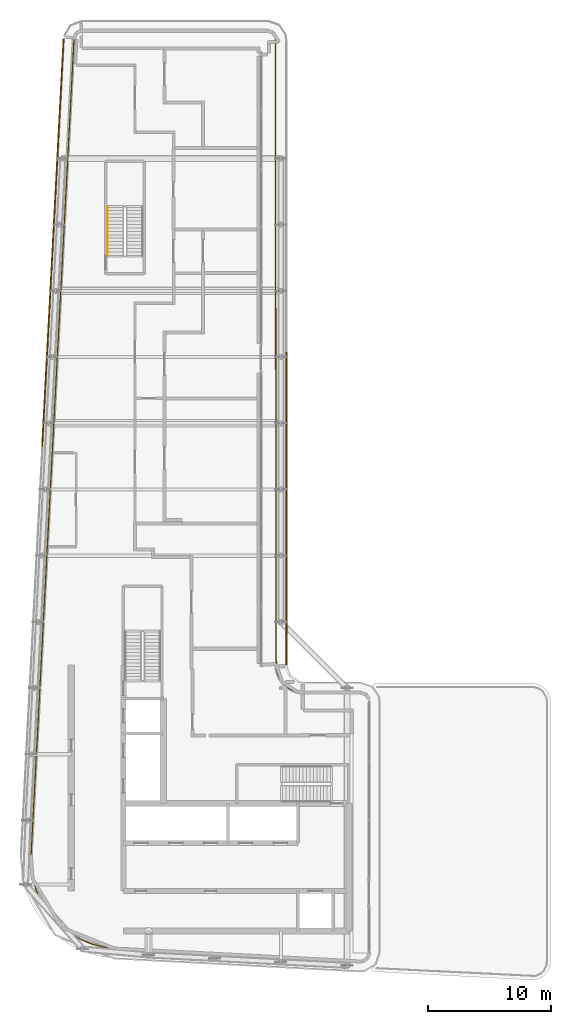
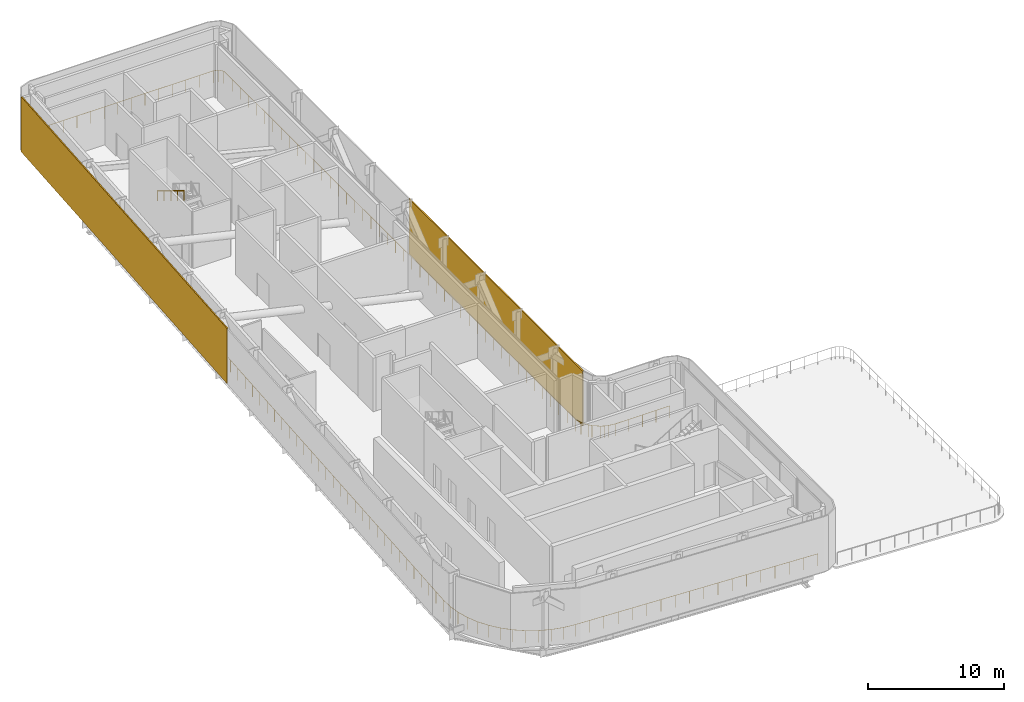
# One storey, part 17 of 18: 2 railings, 2 shading devices.
"""IFC4 building model written with IfcOpenShell, lengths in metres."""

from ifc_helpers import new_model, si_unit, direction, frame, origin, origin_2d, place, context, subcontext, project, spatial, rectangle, circle, extrude, material, layer, layer_set, type_object, element, save


model = new_model("IFC4")

# Units and contexts
model_context = context("Model", 3, precision=1e-05, world=origin(), true_north=direction((0.0, 1.0)))
body_context = subcontext(model_context, "Body", "Model", "MODEL_VIEW")
ifc_project = project(units=[si_unit("LENGTHUNIT", "METRE"), si_unit("AREAUNIT", "SQUARE_METRE"), si_unit("VOLUMEUNIT", "CUBIC_METRE"), si_unit("PLANEANGLEUNIT", "RADIAN"), si_unit("MASSUNIT", "GRAM", prefix="KILO")], contexts=[model_context])

# Site, building, storey
site_placement = place(None, origin())
site = spatial("IfcSite", under=ifc_project, at=site_placement, CompositionType="ELEMENT")
building_placement = place(site_placement, origin())
building = spatial("IfcBuilding", under=site, at=building_placement, Name="Kheshtan School and Residences Tower", CompositionType="ELEMENT")
storey_placement = place(building_placement, frame((0.0, 0.0, 333.199951171875)))
storey = spatial("IfcBuildingStorey", under=building, at=storey_placement, Name="L78", CompositionType="ELEMENT", Elevation=333.199951171875)

# Railing
ifc_material_1 = material(Name="Stainless steel balustrade", Category="steel")
railing_type_1 = type_object("IfcRailingType", Name="Loggia guard 1100", PredefinedType="GUARDRAIL", material=ifc_material_1)
railing_1_placement = place(storey_placement, frame((54.035888671875, 23.324951171875, 0.0)))
element("IfcRailing", 1, at=railing_1_placement, inside=storey, type_object=railing_type_1, Name="Guard L78 1", PredefinedType="GUARDRAIL", context=body_context, shape_type="SweptSolid", body=[
    extrude(circle(Radius=0.02392578125, at=origin_2d()), frame((0.0, 0.0, 1.076171875), z_axis=(-0.99861401751, 0.052631207781, 0.0), x_axis=(-0.052631207781, -0.99861401751, 0.0)), (0.0, 0.0, 1.0), 20.0068359375),
    extrude(circle(Radius=0.02392578125, at=origin_2d()), frame((-19.97900390625, 1.052978515625, 1.076171875), z_axis=(-0.993152326572, 0.116826607521, 0.0), x_axis=(-0.116826607521, -0.993152326572, 0.0)), (0.0, 0.0, 1.0), 0.967529296875),
    extrude(circle(Radius=0.02392578125, at=origin_2d()), frame((-20.93994140625, 1.166015625, 1.076171875), z_axis=(-0.969142269941, 0.246502049918, 0.0), x_axis=(-0.246502049918, -0.969142269941, 0.0)), (0.0, 0.0, 1.0), 0.94091796875),
    extrude(circle(Radius=0.02392578125, at=origin_2d()), frame((-21.851806640625, 1.39794921875, 1.076171875), z_axis=(-0.928440955332, 0.371480002775, 0.0), x_axis=(-0.371480002775, -0.928440955332, 0.0)), (0.0, 0.0, 1.0), 0.9423828125),
    extrude(circle(Radius=0.02392578125, at=origin_2d()), frame((-22.726806640625, 1.748046875, 1.076171875), z_axis=(-0.872673913379, 0.488303431187, 0.0), x_axis=(-0.488303431187, -0.872673913379, 0.0)), (0.0, 0.0, 1.0), 0.94189453125),
    extrude(circle(Radius=0.02392578125, at=origin_2d()), frame((-23.548828125, 2.2080078125, 1.076171875), z_axis=(-0.801336596607, 0.598213723462, 0.0), x_axis=(-0.598213723462, -0.801336596607, 0.0)), (0.0, 0.0, 1.0), 0.941162109375),
    extrude(circle(Radius=0.02392578125, at=origin_2d()), frame((-24.302978515625, 2.77099609375, 1.076171875), z_axis=(-0.71600013962, 0.69810013613, 0.0), x_axis=(-0.69810013613, -0.71600013962, 0.0)), (0.0, 0.0, 1.0), 0.941162109375),
    extrude(circle(Radius=0.02392578125, at=origin_2d()), frame((-24.976806640625, 3.427978515625, 1.076171875), z_axis=(-0.618862535768, 0.785499307334, 0.0), x_axis=(-0.785499307334, -0.618862535768, 0.0)), (0.0, 0.0, 1.0), 0.942138671875),
    extrude(circle(Radius=0.02392578125, at=origin_2d()), frame((-25.559814453125, 4.16796875, 1.076171875), z_axis=(-0.510214927824, 0.860046933269, 0.0), x_axis=(-0.860046933269, -0.510214927824, 0.0)), (0.0, 0.0, 1.0), 0.940673828125),
    extrude(circle(Radius=0.02392578125, at=origin_2d()), frame((-26.039794921875, 4.97705078125, 1.076171875), z_axis=(-0.394763216191, 0.918782892278, 0.0), x_axis=(-0.918782892278, -0.394763216191, 0.0)), (0.0, 0.0, 1.0), 0.942626953125),
    extrude(circle(Radius=0.02392578125, at=origin_2d()), frame((-26.411865234375, 5.843017578125, 1.076171875), z_axis=(-0.272014427065, 0.962293173346, 0.0), x_axis=(-0.962293173346, -0.272014427065, 0.0)), (0.0, 0.0, 1.0), 0.94140625),
    extrude(circle(Radius=0.02392578125, at=origin_2d()), frame((-26.66796875, 6.7490234375, 1.076171875), z_axis=(-0.143344445165, 0.989672860111, 0.0), x_axis=(-0.989672860111, -0.143344445165, 0.0)), (0.0, 0.0, 1.0), 0.94189453125),
    extrude(circle(Radius=0.02392578125, at=origin_2d()), frame((-26.802978515625, 7.68115234375, 1.076171875), z_axis=(-0.013382639841, 0.999910448466, 0.0), x_axis=(-0.999910448466, -0.013382639841, 0.0)), (0.0, 0.0, 1.0), 0.966796875),
    extrude(circle(Radius=0.02392578125, at=origin_2d()), frame((-26.81591796875, 8.64794921875, 1.076171875), z_axis=(0.052559602407, 0.998617788844, 0.0), x_axis=(-0.998617788844, 0.052559602407, 0.0)), (0.0, 0.0, 1.0), 66.628173828125),
    extrude(circle(Radius=0.02392578125, at=origin_2d()), frame((-23.31396484375, 75.18408203125, 1.076171875), z_axis=(0.311559520936, 0.95022663871, 0.0), x_axis=(-0.95022663871, 0.311559520936, 0.0)), (0.0, 0.0, 1.0), 0.408203125),
    extrude(circle(Radius=0.02392578125, at=origin_2d()), frame((-23.186767578125, 75.572021484375, 1.076171875), z_axis=(0.771057764103, 0.636765203522, 0.0), x_axis=(-0.636765203522, 0.771057764103, 0.0)), (0.0, 0.0, 1.0), 0.3798828125),
    extrude(circle(Radius=0.02392578125, at=origin_2d()), frame((-22.893798828125, 75.81396484375, 1.076171875), z_axis=(0.980908398667, 0.194470340735, 0.0), x_axis=(-0.194470340735, 0.980908398667, 0.0)), (0.0, 0.0, 1.0), 0.31396484375),
    extrude(circle(Radius=0.02392578125, at=origin_2d()), frame((-22.5859375, 75.875, 1.076171875), z_axis=(1.0, 0.0, 0.0), x_axis=(0.0, 1.0, 0.0)), (0.0, 0.0, 1.0), 15.02294921875),
    extrude(circle(Radius=0.02392578125, at=origin_2d()), frame((-7.56298828125, 75.875, 1.076171875), z_axis=(0.969584789188, -0.244755667095, 0.0), x_axis=(0.244755667095, 0.969584789188, 0.0)), (0.0, 0.0, 1.0), 0.387939453125),
    extrude(circle(Radius=0.02392578125, at=origin_2d()), frame((-7.186767578125, 75.780029296875, 1.076171875), z_axis=(0.65881241803, -0.752307249632, 0.0), x_axis=(0.752307249632, 0.65881241803, 0.0)), (0.0, 0.0, 1.0), 0.44921875),
    extrude(circle(Radius=0.02392578125, at=origin_2d()), frame((-6.890869140625, 75.442138671875, 1.076171875), z_axis=(0.001415564121, -0.999998998089, 0.0), x_axis=(0.999998998089, 0.001415564121, 0.0)), (0.0, 0.0, 1.0), 51.568115234375),
    extrude(circle(Radius=0.02392578125, at=origin_2d()), frame((-6.81787109375, 23.8740234375, 1.076171875), z_axis=(0.258194066029, -0.966093072259, 0.0), x_axis=(0.966093072259, 0.258194066029, 0.0)), (0.0, 0.0, 1.0), 0.600341796875),
    extrude(circle(Radius=0.02392578125, at=origin_2d()), frame((-6.662841796875, 23.2939453125, 1.076171875), z_axis=(0.500650830488, -0.865649320413, 0.0), x_axis=(0.865649320413, 0.500650830488, 0.0)), (0.0, 0.0, 1.0), 0.599365234375),
    extrude(circle(Radius=0.02392578125, at=origin_2d()), frame((-6.36279296875, 22.775146484375, 1.076171875), z_axis=(0.657475962228, -0.753475519903, 0.0), x_axis=(0.753475519903, 0.657475962228, 0.0)), (0.0, 0.0, 1.0), 0.302734375),
    extrude(circle(Radius=0.02392578125, at=origin_2d()), frame((-6.163818359375, 22.547119140625, 1.076171875), z_axis=(0.794207829635, -0.607646215611, 0.0), x_axis=(0.607646215611, 0.794207829635, 0.0)), (0.0, 0.0, 1.0), 0.6005859375),
    extrude(circle(Radius=0.02392578125, at=origin_2d()), frame((-5.686767578125, 22.18212890625, 1.076171875), z_axis=(0.895558957072, -0.444942866455, 0.0), x_axis=(0.444942866455, 0.895558957072, 0.0)), (0.0, 0.0, 1.0), 0.30126953125),
    extrude(circle(Radius=0.02392578125, at=origin_2d()), frame((-5.4169921875, 22.048095703125, 1.076171875), z_axis=(0.946890871883, -0.321555091305, 0.0), x_axis=(0.321555091305, 0.946890871883, 0.0)), (0.0, 0.0, 1.0), 0.30224609375),
    extrude(circle(Radius=0.02392578125, at=origin_2d()), frame((-5.130859375, 21.950927734375, 1.076171875), z_axis=(0.991179452641, -0.132526573418, 0.0), x_axis=(0.132526573418, 0.991179452641, 0.0)), (0.0, 0.0, 1.0), 0.572998046875),
    extrude(circle(Radius=0.02392578125, at=origin_2d()), frame((-4.56298828125, 21.875, 1.076171875), z_axis=(1.0, 0.0, 0.0), x_axis=(0.0, 1.0, 0.0)), (0.0, 0.0, 1.0), 4.60009765625),
    extrude(circle(Radius=0.02099609375, at=origin_2d()), origin(), (0.0, 0.0, 1.0), 1.052001953125),
    extrude(circle(Radius=0.02099609375, at=origin_2d()), frame((-1.17529296875, 0.06201171875, 0.0)), (0.0, 0.0, 1.0), 1.052001953125),
    extrude(circle(Radius=0.02099609375, at=origin_2d()), frame((-2.3505859375, 0.123779296875, 0.0)), (0.0, 0.0, 1.0), 1.052001953125),
    extrude(circle(Radius=0.02099609375, at=origin_2d()), frame((-3.525634765625, 0.185791015625, 0.0)), (0.0, 0.0, 1.0), 1.052001953125),
    extrude(circle(Radius=0.02099609375, at=origin_2d()), frame((-4.700927734375, 0.247802734375, 0.0)), (0.0, 0.0, 1.0), 1.052001953125),
    extrude(circle(Radius=0.02099609375, at=origin_2d()), frame((-5.876220703125, 0.309814453125, 0.0)), (0.0, 0.0, 1.0), 1.052001953125),
    extrude(circle(Radius=0.02099609375, at=origin_2d()), frame((-7.051513671875, 0.37158203125, 0.0)), (0.0, 0.0, 1.0), 1.052001953125),
    extrude(circle(Radius=0.02099609375, at=origin_2d()), frame((-8.2265625, 0.43359375, 0.0)), (0.0, 0.0, 1.0), 1.052001953125),
    extrude(circle(Radius=0.02099609375, at=origin_2d()), frame((-9.40185546875, 0.49560546875, 0.0)), (0.0, 0.0, 1.0), 1.052001953125),
    extrude(circle(Radius=0.02099609375, at=origin_2d()), frame((-10.5771484375, 0.557373046875, 0.0)), (0.0, 0.0, 1.0), 1.052001953125),
    extrude(circle(Radius=0.02099609375, at=origin_2d()), frame((-11.75244140625, 0.619384765625, 0.0)), (0.0, 0.0, 1.0), 1.052001953125),
    extrude(circle(Radius=0.02099609375, at=origin_2d()), frame((-12.927490234375, 0.681396484375, 0.0)), (0.0, 0.0, 1.0), 1.052001953125),
    extrude(circle(Radius=0.02099609375, at=origin_2d()), frame((-14.102783203125, 0.7431640625, 0.0)), (0.0, 0.0, 1.0), 1.052001953125),
    extrude(circle(Radius=0.02099609375, at=origin_2d()), frame((-15.278076171875, 0.80517578125, 0.0)), (0.0, 0.0, 1.0), 1.052001953125),
    extrude(circle(Radius=0.02099609375, at=origin_2d()), frame((-16.453369140625, 0.8671875, 0.0)), (0.0, 0.0, 1.0), 1.052001953125),
    extrude(circle(Radius=0.02099609375, at=origin_2d()), frame((-17.62841796875, 0.92919921875, 0.0)), (0.0, 0.0, 1.0), 1.052001953125),
    extrude(circle(Radius=0.02099609375, at=origin_2d()), frame((-18.8037109375, 0.990966796875, 0.0)), (0.0, 0.0, 1.0), 1.052001953125),
    extrude(circle(Radius=0.02099609375, at=origin_2d()), frame((-19.97900390625, 1.052978515625, 0.0)), (0.0, 0.0, 1.0), 1.052001953125),
    extrude(circle(Radius=0.02099609375, at=origin_2d()), frame((-20.93994140625, 1.166015625, 0.0)), (0.0, 0.0, 1.0), 1.052001953125),
    extrude(circle(Radius=0.02099609375, at=origin_2d()), frame((-21.851806640625, 1.39794921875, 0.0)), (0.0, 0.0, 1.0), 1.052001953125),
    extrude(circle(Radius=0.02099609375, at=origin_2d()), frame((-22.726806640625, 1.748046875, 0.0)), (0.0, 0.0, 1.0), 1.052001953125),
    extrude(circle(Radius=0.02099609375, at=origin_2d()), frame((-23.548828125, 2.2080078125, 0.0)), (0.0, 0.0, 1.0), 1.052001953125),
    extrude(circle(Radius=0.02099609375, at=origin_2d()), frame((-24.302978515625, 2.77099609375, 0.0)), (0.0, 0.0, 1.0), 1.052001953125),
    extrude(circle(Radius=0.02099609375, at=origin_2d()), frame((-24.976806640625, 3.427978515625, 0.0)), (0.0, 0.0, 1.0), 1.052001953125),
    extrude(circle(Radius=0.02099609375, at=origin_2d()), frame((-25.559814453125, 4.16796875, 0.0)), (0.0, 0.0, 1.0), 1.052001953125),
    extrude(circle(Radius=0.02099609375, at=origin_2d()), frame((-26.039794921875, 4.97705078125, 0.0)), (0.0, 0.0, 1.0), 1.052001953125),
    extrude(circle(Radius=0.02099609375, at=origin_2d()), frame((-26.411865234375, 5.843017578125, 0.0)), (0.0, 0.0, 1.0), 1.052001953125),
    extrude(circle(Radius=0.02099609375, at=origin_2d()), frame((-26.66796875, 6.7490234375, 0.0)), (0.0, 0.0, 1.0), 1.052001953125),
    extrude(circle(Radius=0.02099609375, at=origin_2d()), frame((-26.802978515625, 7.68115234375, 0.0)), (0.0, 0.0, 1.0), 1.052001953125),
    extrude(circle(Radius=0.02099609375, at=origin_2d()), frame((-26.81591796875, 8.64794921875, 0.0)), (0.0, 0.0, 1.0), 1.052001953125),
    extrude(circle(Radius=0.02099609375, at=origin_2d()), frame((-26.75341796875, 9.836181640625, 0.0)), (0.0, 0.0, 1.0), 1.052001953125),
    extrude(circle(Radius=0.02099609375, at=origin_2d()), frame((-26.69091796875, 11.024169921875, 0.0)), (0.0, 0.0, 1.0), 1.052001953125),
    extrude(circle(Radius=0.02099609375, at=origin_2d()), frame((-26.62841796875, 12.21240234375, 0.0)), (0.0, 0.0, 1.0), 1.052001953125),
    extrude(circle(Radius=0.02099609375, at=origin_2d()), frame((-26.565673828125, 13.400634765625, 0.0)), (0.0, 0.0, 1.0), 1.052001953125),
    extrude(circle(Radius=0.02099609375, at=origin_2d()), frame((-26.503173828125, 14.588623046875, 0.0)), (0.0, 0.0, 1.0), 1.052001953125),
    extrude(circle(Radius=0.02099609375, at=origin_2d()), frame((-26.440673828125, 15.77685546875, 0.0)), (0.0, 0.0, 1.0), 1.052001953125),
    extrude(circle(Radius=0.02099609375, at=origin_2d()), frame((-26.378173828125, 16.96484375, 0.0)), (0.0, 0.0, 1.0), 1.052001953125),
    extrude(circle(Radius=0.02099609375, at=origin_2d()), frame((-26.315673828125, 18.153076171875, 0.0)), (0.0, 0.0, 1.0), 1.052001953125),
    extrude(circle(Radius=0.02099609375, at=origin_2d()), frame((-26.253173828125, 19.34130859375, 0.0)), (0.0, 0.0, 1.0), 1.052001953125),
    extrude(circle(Radius=0.02099609375, at=origin_2d()), frame((-26.190673828125, 20.529296875, 0.0)), (0.0, 0.0, 1.0), 1.052001953125),
    extrude(circle(Radius=0.02099609375, at=origin_2d()), frame((-26.1279296875, 21.717529296875, 0.0)), (0.0, 0.0, 1.0), 1.052001953125),
    extrude(circle(Radius=0.02099609375, at=origin_2d()), frame((-26.0654296875, 22.90576171875, 0.0)), (0.0, 0.0, 1.0), 1.052001953125),
    extrude(circle(Radius=0.02099609375, at=origin_2d()), frame((-26.0029296875, 24.09375, 0.0)), (0.0, 0.0, 1.0), 1.052001953125),
    extrude(circle(Radius=0.02099609375, at=origin_2d()), frame((-25.9404296875, 25.281982421875, 0.0)), (0.0, 0.0, 1.0), 1.052001953125),
    extrude(circle(Radius=0.02099609375, at=origin_2d()), frame((-25.8779296875, 26.47021484375, 0.0)), (0.0, 0.0, 1.0), 1.052001953125),
    extrude(circle(Radius=0.02099609375, at=origin_2d()), frame((-25.8154296875, 27.658203125, 0.0)), (0.0, 0.0, 1.0), 1.052001953125),
    extrude(circle(Radius=0.02099609375, at=origin_2d()), frame((-25.7529296875, 28.846435546875, 0.0)), (0.0, 0.0, 1.0), 1.052001953125),
    extrude(circle(Radius=0.02099609375, at=origin_2d()), frame((-25.690185546875, 30.03466796875, 0.0)), (0.0, 0.0, 1.0), 1.052001953125),
    extrude(circle(Radius=0.02099609375, at=origin_2d()), frame((-25.627685546875, 31.22265625, 0.0)), (0.0, 0.0, 1.0), 1.052001953125),
    extrude(circle(Radius=0.02099609375, at=origin_2d()), frame((-25.565185546875, 32.410888671875, 0.0)), (0.0, 0.0, 1.0), 1.052001953125),
    extrude(circle(Radius=0.02099609375, at=origin_2d()), frame((-25.502685546875, 33.59912109375, 0.0)), (0.0, 0.0, 1.0), 1.052001953125),
    extrude(circle(Radius=0.02099609375, at=origin_2d()), frame((-25.440185546875, 34.787109375, 0.0)), (0.0, 0.0, 1.0), 1.052001953125),
    extrude(circle(Radius=0.02099609375, at=origin_2d()), frame((-25.377685546875, 35.975341796875, 0.0)), (0.0, 0.0, 1.0), 1.052001953125),
    extrude(circle(Radius=0.02099609375, at=origin_2d()), frame((-25.315185546875, 37.163330078125, 0.0)), (0.0, 0.0, 1.0), 1.052001953125),
    extrude(circle(Radius=0.02099609375, at=origin_2d()), frame((-25.25244140625, 38.3515625, 0.0)), (0.0, 0.0, 1.0), 1.052001953125),
    extrude(circle(Radius=0.02099609375, at=origin_2d()), frame((-25.18994140625, 39.539794921875, 0.0)), (0.0, 0.0, 1.0), 1.052001953125),
    extrude(circle(Radius=0.02099609375, at=origin_2d()), frame((-25.12744140625, 40.727783203125, 0.0)), (0.0, 0.0, 1.0), 1.052001953125),
    extrude(circle(Radius=0.02099609375, at=origin_2d()), frame((-25.06494140625, 41.916015625, 0.0)), (0.0, 0.0, 1.0), 1.052001953125),
    extrude(circle(Radius=0.02099609375, at=origin_2d()), frame((-25.00244140625, 43.104248046875, 0.0)), (0.0, 0.0, 1.0), 1.052001953125),
    extrude(circle(Radius=0.02099609375, at=origin_2d()), frame((-24.93994140625, 44.292236328125, 0.0)), (0.0, 0.0, 1.0), 1.052001953125),
    extrude(circle(Radius=0.02099609375, at=origin_2d()), frame((-24.87744140625, 45.48046875, 0.0)), (0.0, 0.0, 1.0), 1.052001953125),
    extrude(circle(Radius=0.02099609375, at=origin_2d()), frame((-24.814697265625, 46.668701171875, 0.0)), (0.0, 0.0, 1.0), 1.052001953125),
    extrude(circle(Radius=0.02099609375, at=origin_2d()), frame((-24.752197265625, 47.856689453125, 0.0)), (0.0, 0.0, 1.0), 1.052001953125),
    extrude(circle(Radius=0.02099609375, at=origin_2d()), frame((-24.689697265625, 49.044921875, 0.0)), (0.0, 0.0, 1.0), 1.052001953125),
    extrude(circle(Radius=0.02099609375, at=origin_2d()), frame((-24.627197265625, 50.23291015625, 0.0)), (0.0, 0.0, 1.0), 1.052001953125),
    extrude(circle(Radius=0.02099609375, at=origin_2d()), frame((-24.564697265625, 51.421142578125, 0.0)), (0.0, 0.0, 1.0), 1.052001953125),
    extrude(circle(Radius=0.02099609375, at=origin_2d()), frame((-24.502197265625, 52.609375, 0.0)), (0.0, 0.0, 1.0), 1.052001953125),
    extrude(circle(Radius=0.02099609375, at=origin_2d()), frame((-24.439697265625, 53.79736328125, 0.0)), (0.0, 0.0, 1.0), 1.052001953125),
    extrude(circle(Radius=0.02099609375, at=origin_2d()), frame((-24.376953125, 54.985595703125, 0.0)), (0.0, 0.0, 1.0), 1.052001953125),
    extrude(circle(Radius=0.02099609375, at=origin_2d()), frame((-24.314453125, 56.173828125, 0.0)), (0.0, 0.0, 1.0), 1.052001953125),
    extrude(circle(Radius=0.02099609375, at=origin_2d()), frame((-24.251953125, 57.36181640625, 0.0)), (0.0, 0.0, 1.0), 1.052001953125),
    extrude(circle(Radius=0.02099609375, at=origin_2d()), frame((-24.189453125, 58.550048828125, 0.0)), (0.0, 0.0, 1.0), 1.052001953125),
    extrude(circle(Radius=0.02099609375, at=origin_2d()), frame((-24.126953125, 59.73828125, 0.0)), (0.0, 0.0, 1.0), 1.052001953125),
    extrude(circle(Radius=0.02099609375, at=origin_2d()), frame((-24.064453125, 60.92626953125, 0.0)), (0.0, 0.0, 1.0), 1.052001953125),
    extrude(circle(Radius=0.02099609375, at=origin_2d()), frame((-24.001953125, 62.114501953125, 0.0)), (0.0, 0.0, 1.0), 1.052001953125),
    extrude(circle(Radius=0.02099609375, at=origin_2d()), frame((-23.939208984375, 63.302734375, 0.0)), (0.0, 0.0, 1.0), 1.052001953125),
    extrude(circle(Radius=0.02099609375, at=origin_2d()), frame((-23.876708984375, 64.49072265625, 0.0)), (0.0, 0.0, 1.0), 1.052001953125),
    extrude(circle(Radius=0.02099609375, at=origin_2d()), frame((-23.814208984375, 65.678955078125, 0.0)), (0.0, 0.0, 1.0), 1.052001953125),
    extrude(circle(Radius=0.02099609375, at=origin_2d()), frame((-23.751708984375, 66.8671875, 0.0)), (0.0, 0.0, 1.0), 1.052001953125),
    extrude(circle(Radius=0.02099609375, at=origin_2d()), frame((-23.689208984375, 68.05517578125, 0.0)), (0.0, 0.0, 1.0), 1.052001953125),
    extrude(circle(Radius=0.02099609375, at=origin_2d()), frame((-23.626708984375, 69.243408203125, 0.0)), (0.0, 0.0, 1.0), 1.052001953125),
    extrude(circle(Radius=0.02099609375, at=origin_2d()), frame((-23.564208984375, 70.431396484375, 0.0)), (0.0, 0.0, 1.0), 1.052001953125),
    extrude(circle(Radius=0.02099609375, at=origin_2d()), frame((-23.50146484375, 71.61962890625, 0.0)), (0.0, 0.0, 1.0), 1.052001953125),
    extrude(circle(Radius=0.02099609375, at=origin_2d()), frame((-23.43896484375, 72.807861328125, 0.0)), (0.0, 0.0, 1.0), 1.052001953125),
    extrude(circle(Radius=0.02099609375, at=origin_2d()), frame((-23.37646484375, 73.995849609375, 0.0)), (0.0, 0.0, 1.0), 1.052001953125),
    extrude(circle(Radius=0.02099609375, at=origin_2d()), frame((-23.31396484375, 75.18408203125, 0.0)), (0.0, 0.0, 1.0), 1.052001953125),
    extrude(circle(Radius=0.02099609375, at=origin_2d()), frame((-23.186767578125, 75.572021484375, 0.0)), (0.0, 0.0, 1.0), 1.052001953125),
    extrude(circle(Radius=0.02099609375, at=origin_2d()), frame((-22.893798828125, 75.81396484375, 0.0)), (0.0, 0.0, 1.0), 1.052001953125),
    extrude(circle(Radius=0.02099609375, at=origin_2d()), frame((-22.5859375, 75.875, 0.0)), (0.0, 0.0, 1.0), 1.052001953125),
    extrude(circle(Radius=0.02099609375, at=origin_2d()), frame((-21.430419921875, 75.875, 0.0)), (0.0, 0.0, 1.0), 1.052001953125),
    extrude(circle(Radius=0.02099609375, at=origin_2d()), frame((-20.274658203125, 75.875, 0.0)), (0.0, 0.0, 1.0), 1.052001953125),
    extrude(circle(Radius=0.02099609375, at=origin_2d()), frame((-19.119140625, 75.875, 0.0)), (0.0, 0.0, 1.0), 1.052001953125),
    extrude(circle(Radius=0.02099609375, at=origin_2d()), frame((-17.96337890625, 75.875, 0.0)), (0.0, 0.0, 1.0), 1.052001953125),
    extrude(circle(Radius=0.02099609375, at=origin_2d()), frame((-16.807861328125, 75.875, 0.0)), (0.0, 0.0, 1.0), 1.052001953125),
    extrude(circle(Radius=0.02099609375, at=origin_2d()), frame((-15.65234375, 75.875, 0.0)), (0.0, 0.0, 1.0), 1.052001953125),
    extrude(circle(Radius=0.02099609375, at=origin_2d()), frame((-14.49658203125, 75.875, 0.0)), (0.0, 0.0, 1.0), 1.052001953125),
    extrude(circle(Radius=0.02099609375, at=origin_2d()), frame((-13.341064453125, 75.875, 0.0)), (0.0, 0.0, 1.0), 1.052001953125),
    extrude(circle(Radius=0.02099609375, at=origin_2d()), frame((-12.185546875, 75.875, 0.0)), (0.0, 0.0, 1.0), 1.052001953125),
    extrude(circle(Radius=0.02099609375, at=origin_2d()), frame((-11.02978515625, 75.875, 0.0)), (0.0, 0.0, 1.0), 1.052001953125),
    extrude(circle(Radius=0.02099609375, at=origin_2d()), frame((-9.874267578125, 75.875, 0.0)), (0.0, 0.0, 1.0), 1.052001953125),
    extrude(circle(Radius=0.02099609375, at=origin_2d()), frame((-8.718505859375, 75.875, 0.0)), (0.0, 0.0, 1.0), 1.052001953125),
    extrude(circle(Radius=0.02099609375, at=origin_2d()), frame((-7.56298828125, 75.875, 0.0)), (0.0, 0.0, 1.0), 1.052001953125),
    extrude(circle(Radius=0.02099609375, at=origin_2d()), frame((-7.186767578125, 75.780029296875, 0.0)), (0.0, 0.0, 1.0), 1.052001953125),
    extrude(circle(Radius=0.02099609375, at=origin_2d()), frame((-6.890869140625, 75.442138671875, 0.0)), (0.0, 0.0, 1.0), 1.052001953125),
    extrude(circle(Radius=0.02099609375, at=origin_2d()), frame((-6.88916015625, 74.242919921875, 0.0)), (0.0, 0.0, 1.0), 1.052001953125),
    extrude(circle(Radius=0.02099609375, at=origin_2d()), frame((-6.887451171875, 73.043701171875, 0.0)), (0.0, 0.0, 1.0), 1.052001953125),
    extrude(circle(Radius=0.02099609375, at=origin_2d()), frame((-6.8857421875, 71.844482421875, 0.0)), (0.0, 0.0, 1.0), 1.052001953125),
    extrude(circle(Radius=0.02099609375, at=origin_2d()), frame((-6.884033203125, 70.64501953125, 0.0)), (0.0, 0.0, 1.0), 1.052001953125),
    extrude(circle(Radius=0.02099609375, at=origin_2d()), frame((-6.88232421875, 69.44580078125, 0.0)), (0.0, 0.0, 1.0), 1.052001953125),
    extrude(circle(Radius=0.02099609375, at=origin_2d()), frame((-6.880615234375, 68.24658203125, 0.0)), (0.0, 0.0, 1.0), 1.052001953125),
    extrude(circle(Radius=0.02099609375, at=origin_2d()), frame((-6.87890625, 67.04736328125, 0.0)), (0.0, 0.0, 1.0), 1.052001953125),
    extrude(circle(Radius=0.02099609375, at=origin_2d()), frame((-6.877197265625, 65.84814453125, 0.0)), (0.0, 0.0, 1.0), 1.052001953125),
    extrude(circle(Radius=0.02099609375, at=origin_2d()), frame((-6.87548828125, 64.64892578125, 0.0)), (0.0, 0.0, 1.0), 1.052001953125),
    extrude(circle(Radius=0.02099609375, at=origin_2d()), frame((-6.873779296875, 63.449462890625, 0.0)), (0.0, 0.0, 1.0), 1.052001953125),
    extrude(circle(Radius=0.02099609375, at=origin_2d()), frame((-6.872314453125, 62.250244140625, 0.0)), (0.0, 0.0, 1.0), 1.052001953125),
    extrude(circle(Radius=0.02099609375, at=origin_2d()), frame((-6.87060546875, 61.051025390625, 0.0)), (0.0, 0.0, 1.0), 1.052001953125),
    extrude(circle(Radius=0.02099609375, at=origin_2d()), frame((-6.868896484375, 59.851806640625, 0.0)), (0.0, 0.0, 1.0), 1.052001953125),
    extrude(circle(Radius=0.02099609375, at=origin_2d()), frame((-6.8671875, 58.652587890625, 0.0)), (0.0, 0.0, 1.0), 1.052001953125),
    extrude(circle(Radius=0.02099609375, at=origin_2d()), frame((-6.865478515625, 57.453369140625, 0.0)), (0.0, 0.0, 1.0), 1.052001953125),
    extrude(circle(Radius=0.02099609375, at=origin_2d()), frame((-6.86376953125, 56.25390625, 0.0)), (0.0, 0.0, 1.0), 1.052001953125),
    extrude(circle(Radius=0.02099609375, at=origin_2d()), frame((-6.862060546875, 55.0546875, 0.0)), (0.0, 0.0, 1.0), 1.052001953125),
    extrude(circle(Radius=0.02099609375, at=origin_2d()), frame((-6.8603515625, 53.85546875, 0.0)), (0.0, 0.0, 1.0), 1.052001953125),
    extrude(circle(Radius=0.02099609375, at=origin_2d()), frame((-6.858642578125, 52.65625, 0.0)), (0.0, 0.0, 1.0), 1.052001953125),
    extrude(circle(Radius=0.02099609375, at=origin_2d()), frame((-6.85693359375, 51.45703125, 0.0)), (0.0, 0.0, 1.0), 1.052001953125),
    extrude(circle(Radius=0.02099609375, at=origin_2d()), frame((-6.855224609375, 50.2578125, 0.0)), (0.0, 0.0, 1.0), 1.052001953125),
    extrude(circle(Radius=0.02099609375, at=origin_2d()), frame((-6.853515625, 49.058349609375, 0.0)), (0.0, 0.0, 1.0), 1.052001953125),
    extrude(circle(Radius=0.02099609375, at=origin_2d()), frame((-6.851806640625, 47.859130859375, 0.0)), (0.0, 0.0, 1.0), 1.052001953125),
    extrude(circle(Radius=0.02099609375, at=origin_2d()), frame((-6.85009765625, 46.659912109375, 0.0)), (0.0, 0.0, 1.0), 1.052001953125),
    extrude(circle(Radius=0.02099609375, at=origin_2d()), frame((-6.848388671875, 45.460693359375, 0.0)), (0.0, 0.0, 1.0), 1.052001953125),
    extrude(circle(Radius=0.02099609375, at=origin_2d()), frame((-6.8466796875, 44.261474609375, 0.0)), (0.0, 0.0, 1.0), 1.052001953125),
    extrude(circle(Radius=0.02099609375, at=origin_2d()), frame((-6.844970703125, 43.062255859375, 0.0)), (0.0, 0.0, 1.0), 1.052001953125),
    extrude(circle(Radius=0.02099609375, at=origin_2d()), frame((-6.84326171875, 41.86279296875, 0.0)), (0.0, 0.0, 1.0), 1.052001953125),
    extrude(circle(Radius=0.02099609375, at=origin_2d()), frame((-6.841552734375, 40.66357421875, 0.0)), (0.0, 0.0, 1.0), 1.052001953125),
    extrude(circle(Radius=0.02099609375, at=origin_2d()), frame((-6.83984375, 39.46435546875, 0.0)), (0.0, 0.0, 1.0), 1.052001953125),
    extrude(circle(Radius=0.02099609375, at=origin_2d()), frame((-6.838134765625, 38.26513671875, 0.0)), (0.0, 0.0, 1.0), 1.052001953125),
    extrude(circle(Radius=0.02099609375, at=origin_2d()), frame((-6.83642578125, 37.06591796875, 0.0)), (0.0, 0.0, 1.0), 1.052001953125),
    extrude(circle(Radius=0.02099609375, at=origin_2d()), frame((-6.8349609375, 35.86669921875, 0.0)), (0.0, 0.0, 1.0), 1.052001953125),
    extrude(circle(Radius=0.02099609375, at=origin_2d()), frame((-6.833251953125, 34.667236328125, 0.0)), (0.0, 0.0, 1.0), 1.052001953125),
    extrude(circle(Radius=0.02099609375, at=origin_2d()), frame((-6.83154296875, 33.468017578125, 0.0)), (0.0, 0.0, 1.0), 1.052001953125),
    extrude(circle(Radius=0.02099609375, at=origin_2d()), frame((-6.829833984375, 32.268798828125, 0.0)), (0.0, 0.0, 1.0), 1.052001953125),
    extrude(circle(Radius=0.02099609375, at=origin_2d()), frame((-6.828125, 31.069580078125, 0.0)), (0.0, 0.0, 1.0), 1.052001953125),
    extrude(circle(Radius=0.02099609375, at=origin_2d()), frame((-6.826416015625, 29.870361328125, 0.0)), (0.0, 0.0, 1.0), 1.052001953125),
    extrude(circle(Radius=0.02099609375, at=origin_2d()), frame((-6.82470703125, 28.671142578125, 0.0)), (0.0, 0.0, 1.0), 1.052001953125),
    extrude(circle(Radius=0.02099609375, at=origin_2d()), frame((-6.822998046875, 27.4716796875, 0.0)), (0.0, 0.0, 1.0), 1.052001953125),
    extrude(circle(Radius=0.02099609375, at=origin_2d()), frame((-6.8212890625, 26.2724609375, 0.0)), (0.0, 0.0, 1.0), 1.052001953125),
    extrude(circle(Radius=0.02099609375, at=origin_2d()), frame((-6.819580078125, 25.0732421875, 0.0)), (0.0, 0.0, 1.0), 1.052001953125),
    extrude(circle(Radius=0.02099609375, at=origin_2d()), frame((-6.81787109375, 23.8740234375, 0.0)), (0.0, 0.0, 1.0), 1.052001953125),
    extrude(circle(Radius=0.02099609375, at=origin_2d()), frame((-6.662841796875, 23.2939453125, 0.0)), (0.0, 0.0, 1.0), 1.052001953125),
    extrude(circle(Radius=0.02099609375, at=origin_2d()), frame((-6.36279296875, 22.775146484375, 0.0)), (0.0, 0.0, 1.0), 1.052001953125),
    extrude(circle(Radius=0.02099609375, at=origin_2d()), frame((-6.163818359375, 22.547119140625, 0.0)), (0.0, 0.0, 1.0), 1.052001953125),
    extrude(circle(Radius=0.02099609375, at=origin_2d()), frame((-5.686767578125, 22.18212890625, 0.0)), (0.0, 0.0, 1.0), 1.052001953125),
    extrude(circle(Radius=0.02099609375, at=origin_2d()), frame((-5.4169921875, 22.048095703125, 0.0)), (0.0, 0.0, 1.0), 1.052001953125),
    extrude(circle(Radius=0.02099609375, at=origin_2d()), frame((-5.130859375, 21.950927734375, 0.0)), (0.0, 0.0, 1.0), 1.052001953125),
    extrude(circle(Radius=0.02099609375, at=origin_2d()), frame((-4.56298828125, 21.875, 0.0)), (0.0, 0.0, 1.0), 1.052001953125),
    extrude(circle(Radius=0.02099609375, at=origin_2d()), frame((-3.4130859375, 21.875, 0.0)), (0.0, 0.0, 1.0), 1.052001953125),
    extrude(circle(Radius=0.02099609375, at=origin_2d()), frame((-2.262939453125, 21.875, 0.0)), (0.0, 0.0, 1.0), 1.052001953125),
    extrude(circle(Radius=0.02099609375, at=origin_2d()), frame((-1.11279296875, 21.875, 0.0)), (0.0, 0.0, 1.0), 1.052001953125),
    extrude(circle(Radius=0.02099609375, at=origin_2d()), frame((0.037109375, 21.875, 0.0)), (0.0, 0.0, 1.0), 1.052001953125),
])

# Shading devices
ifc_material_2 = material(Name="Terracotta louvre blades", Category="masonry")
ifc_layer = layer(ifc_material_2, 0.10009765625)
ifc_layer_set = layer_set([ifc_layer], Name="Plant louvre screen")
shading_device_type = type_object("IfcShadingDeviceType", Name="Plant louvre screen", PredefinedType="JALOUSIE", material=ifc_layer_set)
shading_device_1_placement = place(storey_placement, frame((48.050048828125, 60.25, 0.0), z_axis=(0.0, 0.0, 1.0), x_axis=(0.0, -1.0, 0.0)))
element("IfcShadingDevice", 2, at=shading_device_1_placement, inside=storey, type_object=shading_device_type, Name="Screen L78 3", PredefinedType="JALOUSIE", context=body_context, shape_type="SweptSolid", body=[
    extrude(rectangle(XDim=25.5, YDim=0.10009765625, at=origin_2d()), origin(), (0.0, 0.0, 1.0), 4.949951171875),
])
shading_device_2_placement = place(storey_placement, frame((28.9990234375, 81.93408203125, 0.0), z_axis=(0.0, 0.0, 1.0), x_axis=(0.052562536748, 0.998617634398, 0.0)))
element("IfcShadingDevice", 3, at=shading_device_2_placement, inside=storey, type_object=shading_device_type, Name="Screen L78 6", PredefinedType="JALOUSIE", context=body_context, shape_type="SweptSolid", body=[
    extrude(rectangle(XDim=33.341064453125, YDim=0.10009765625, at=origin_2d()), origin(), (0.0, 0.0, 1.0), 4.949951171875),
])

# Railing
ifc_material_3 = material(Name="Stainless steel handrail", Category="steel")
railing_type_2 = type_object("IfcRailingType", Name="Stair handrail 900", PredefinedType="HANDRAIL", material=ifc_material_3)
railing_2_placement = place(storey_placement, frame((33.449951171875, 84.820068359375, 2.719970703125)))
element("IfcRailing", 4, at=railing_2_placement, inside=storey, type_object=railing_type_2, Name="L78 ST3 stair handrail 2", PredefinedType="HANDRAIL", context=body_context, shape_type="SweptSolid", body=[
    extrude(circle(Radius=0.02392578125, at=origin_2d()), frame((0.0, 0.0, 0.8759765625), z_axis=(0.0, -0.854784984964, 0.518982301701), x_axis=(1.0, 0.0, 0.0)), (0.0, 0.0, 1.0), 4.586181640625),
    extrude(circle(Radius=0.02099609375, at=origin_2d()), origin(), (0.0, 0.0, 1.0), 0.851806640625),
    extrude(circle(Radius=0.02099609375, at=origin_2d()), frame((0.0, -0.97998046875, 0.594970703125)), (0.0, 0.0, 1.0), 0.851806640625),
    extrude(circle(Radius=0.02099609375, at=origin_2d()), frame((0.0, -1.9599609375, 1.18994140625)), (0.0, 0.0, 1.0), 0.851806640625),
    extrude(circle(Radius=0.02099609375, at=origin_2d()), frame((0.0, -2.940185546875, 1.78515625)), (0.0, 0.0, 1.0), 0.851806640625),
    extrude(circle(Radius=0.02099609375, at=origin_2d()), frame((0.0, -3.920166015625, 2.380126953125)), (0.0, 0.0, 1.0), 0.851806640625),
])

save(model, "model.ifc")
